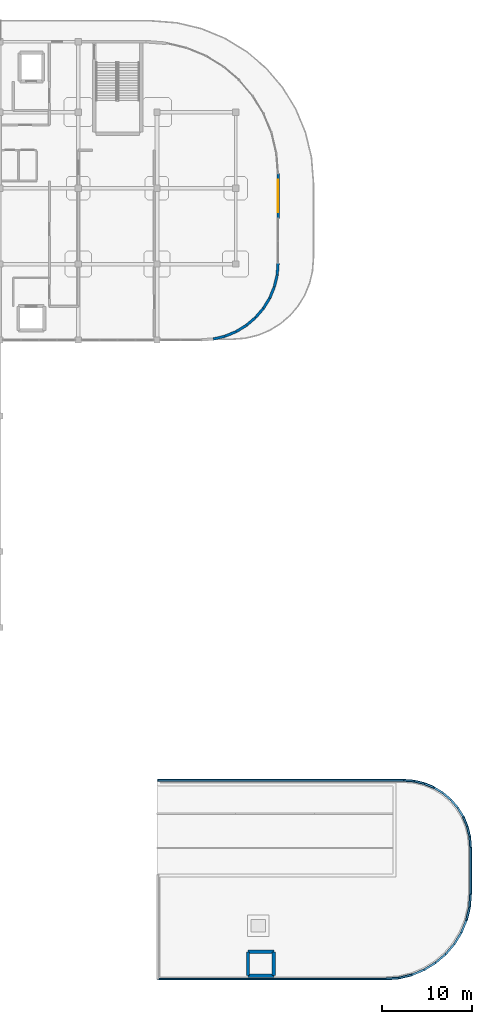
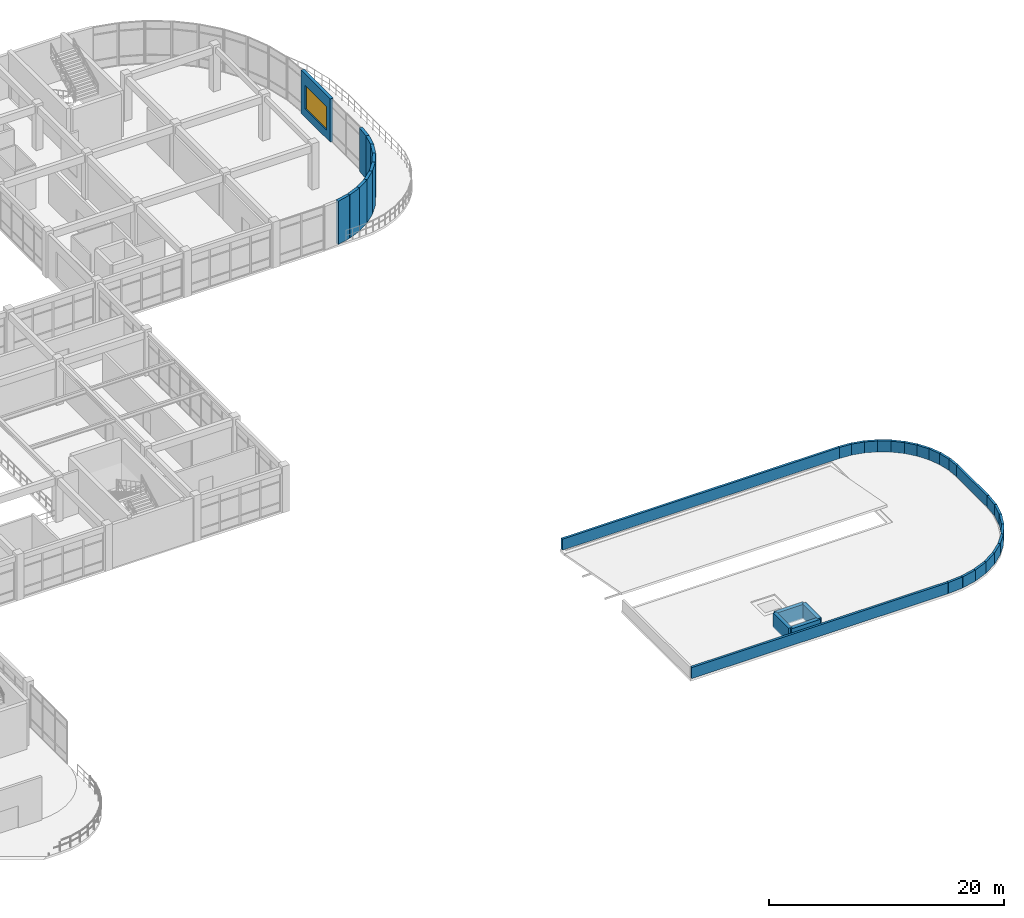
# One storey, part 65 of 76: 37 walls, 1 window, 1 opening.
"""IFC4 building model written with IfcOpenShell, lengths in metres."""

import ifcopenshell
import ifcopenshell.guid

model = None  # the IFC model being written
_history = None  # IfcOwnerHistory: only IFC2X3 demands one
_inside = {}  # id of a spatial element -> (the spatial element, [elements in it])
_under = {}  # id of a project, library or spatial element -> (it, [spatial elements below it])
_declared = {}  # id of a project -> (the project, [libraries it declares])
_typed = {}  # id of a type object -> (the type object, [elements of that type])
_made_of = {}  # id of a material, layer set ... -> (it, [elements and type objects made of it])


def new_model(schema):
    """Start an empty IFC model of exactly this schema.

    Asked for "IFC4X3", IfcOpenShell would pick the latest addendum, in which some entities
    have other attributes; the version numbers below select the first issue.
    IFC2X3 requires an IfcOwnerHistory on every rooted entity: one is made here for all.
    """
    global model, _history
    if schema == "IFC4X3":
        model = ifcopenshell.file(schema_version=(4, 3, 0, 0))
    else:
        model = ifcopenshell.file(schema=schema)
    _inside.clear()
    _under.clear()
    _declared.clear()
    _typed.clear()
    _made_of.clear()
    _history = None
    if model.schema == "IFC2X3":
        org = make("IfcOrganization", Name="unknown")
        user = make(
            "IfcPersonAndOrganization",
            ThePerson=make("IfcPerson", FamilyName="unknown"),
            TheOrganization=org,
        )
        app = make(
            "IfcApplication",
            ApplicationDeveloper=org,
            Version="unknown",
            ApplicationFullName="unknown",
            ApplicationIdentifier="unknown",
        )
        _history = make(
            "IfcOwnerHistory",
            OwningUser=user,
            OwningApplication=app,
            ChangeAction="ADDED",
            CreationDate=0,
        )
    return model


def make(cls, **values):
    """One entity of the class cls with the attributes given. An attribute that is None is left unset."""
    return model.create_entity(
        cls, **{name: value for name, value in values.items() if value is not None}
    )


def rooted(cls, **values):
    """An entity with a GlobalId (a new one), such as an element, a storey or a relation."""
    return make(cls, GlobalId=ifcopenshell.guid.new(), OwnerHistory=_history, **values)


def si_unit(unit_type, name, prefix=None):
    """IfcSIUnit, for example si_unit("LENGTHUNIT", "METRE", prefix="MILLI")."""
    return make("IfcSIUnit", UnitType=unit_type, Prefix=prefix, Name=name)


def derived_unit(unit_type, elements):
    """IfcDerivedUnit: a product of units, each with its exponent."""
    return make(
        "IfcDerivedUnit",
        Elements=[
            make("IfcDerivedUnitElement", Unit=unit, Exponent=power)
            for unit, power in elements
        ],
        UnitType=unit_type,
    )


def assignment(units):
    """IfcUnitAssignment: the units of a project."""
    return None if units is None else make("IfcUnitAssignment", Units=units)


def point(xyz):
    """IfcCartesianPoint."""
    return None if xyz is None else make("IfcCartesianPoint", Coordinates=xyz)


def direction(xyz):
    """IfcDirection."""
    return None if xyz is None else make("IfcDirection", DirectionRatios=xyz)


def frame(location, z_axis=None, x_axis=None):
    """IfcAxis2Placement3D, a coordinate frame: its origin and axes. An axis left out is left unset."""
    return make(
        "IfcAxis2Placement3D",
        Location=point(location),
        Axis=direction(z_axis),
        RefDirection=direction(x_axis),
    )


def frame_2d(location, x_axis=None):
    """IfcAxis2Placement2D, a coordinate frame in the plane: its origin and x axis."""
    return make(
        "IfcAxis2Placement2D", Location=point(location), RefDirection=direction(x_axis)
    )


def origin():
    """The frame at (0, 0, 0) with its axes left unset."""
    return frame((0.0, 0.0, 0.0))


def place(relative_to, where):
    """IfcLocalPlacement: puts the frame where relative to a parent placement (None: the world)."""
    return make(
        "IfcLocalPlacement", PlacementRelTo=relative_to, RelativePlacement=where
    )


def context(
    kind, dimensions, precision=None, world=None, true_north=None, identifier=None
):
    """IfcGeometricRepresentationContext, for example the 3D "Model" context."""
    return make(
        "IfcGeometricRepresentationContext",
        ContextIdentifier=identifier,
        ContextType=kind,
        CoordinateSpaceDimension=dimensions,
        Precision=precision,
        WorldCoordinateSystem=world,
        TrueNorth=true_north,
    )


def subcontext(parent, identifier, kind, view, scale=None):
    """IfcGeometricRepresentationSubContext, for example "Body" below "Model"."""
    return make(
        "IfcGeometricRepresentationSubContext",
        ContextIdentifier=identifier,
        ContextType=kind,
        ParentContext=parent,
        TargetScale=scale,
        TargetView=view,
    )


def project(units=None, contexts=None):
    """IfcProject with its units and contexts."""
    return rooted(
        "IfcProject",
        Name="project",
        RepresentationContexts=contexts,
        UnitsInContext=assignment(units),
    )


def spatial(cls, under=None, at=None, **own):
    """A site, building, storey or space (cls), placed at a placement, below another one or the project."""
    s = rooted(cls, ObjectPlacement=at, **own)
    if under is not None:
        _under.setdefault(under.id(), (under, []))[1].append(s)
    return s


def profile(cls, at=None, kind="AREA", **sizes):
    """A parametric profile (cls). Its sizes go by their IFC names, for example OverallWidth=200.0."""
    return make(cls, ProfileType=kind, Position=at, **sizes)


def rectangle(**sizes):
    """IfcRectangleProfileDef."""
    return profile("IfcRectangleProfileDef", **sizes)


def extrude(swept, where, along, depth):
    """IfcExtrudedAreaSolid: the profile swept, set in the frame where, extruded along a direction by depth."""
    return make(
        "IfcExtrudedAreaSolid",
        SweptArea=swept,
        Position=where,
        ExtrudedDirection=direction(along),
        Depth=depth,
    )


def shape(context_of_items, identifier, shape_type, items):
    """IfcShapeRepresentation: the items that make up one representation, for example the "Body"."""
    return make(
        "IfcShapeRepresentation",
        ContextOfItems=context_of_items,
        RepresentationIdentifier=identifier,
        RepresentationType=shape_type,
        Items=items,
    )


def material(Name=None, Category=None):
    """IfcMaterial."""
    return make("IfcMaterial", Name=Name, Category=Category)


def layer(
    of_material, thickness, ventilated=None, Name=None, Category=None, Priority=None
):
    """IfcMaterialLayer: one layer of a wall or slab, of a material (None: an air gap)."""
    return make(
        "IfcMaterialLayer",
        Material=of_material,
        LayerThickness=thickness,
        IsVentilated=ventilated,
        Name=Name,
        Category=Category,
        Priority=Priority,
    )


def layer_set(layers, Name=None):
    """IfcMaterialLayerSet."""
    return make("IfcMaterialLayerSet", MaterialLayers=layers, LayerSetName=Name)


def made_of(thing, what):
    """Note that an element or type object is made of a material, layer set ...; save() writes the relation."""
    if what is not None:
        _made_of.setdefault(what.id(), (what, []))[1].append(thing)
    return thing


def type_object(cls, material=None, **own):
    """A type object (cls), such as IfcWallType, which elements share."""
    return made_of(rooted(cls, **own), material)


def element(
    cls,
    number,
    at=None,
    inside=None,
    cuts=None,
    type_object=None,
    material=None,
    context=None,
    identifier="Body",
    shape_type=None,
    held_by="IfcProductDefinitionShape",
    body=None,
    shapes=None,
    **own,
):
    """One element of the class cls, such as IfcWall. Its Tag is "e" and its number.

    at: its placement. inside: the storey or other place that contains it. cuts: it is an
    opening in that element (IfcRelVoidsElement). A single representation is given by context,
    identifier, shape_type and body (its items); several are given by shapes. held_by: the class
    of the entity that holds the representations. save() writes the other relations.
    """
    e = rooted(cls, Tag="e%d" % number, ObjectPlacement=at, **own)
    if body is not None:
        shapes = [shape(context, identifier, shape_type, body)]
    if shapes is not None:
        e.Representation = make(held_by, Representations=shapes)
    if inside is not None:
        _inside.setdefault(inside.id(), (inside, []))[1].append(e)
    if cuts is not None:
        rooted(
            "IfcRelVoidsElement", RelatingBuildingElement=cuts, RelatedOpeningElement=e
        )
    if type_object is not None:
        _typed.setdefault(type_object.id(), (type_object, []))[1].append(e)
    return made_of(e, material)


def fill(opening, filler):
    """IfcRelFillsElement: the door or window that sits in an opening."""
    return rooted(
        "IfcRelFillsElement",
        RelatingOpeningElement=opening,
        RelatedBuildingElement=filler,
    )


def aggregate(whole, parts):
    """IfcRelAggregates: a whole, such as a stair, and the parts it consists of."""
    return rooted("IfcRelAggregates", RelatingObject=whole, RelatedObjects=parts)


def save(model, path):
    """Write the relations noted so far, then the file.

    IfcRelAggregates (storeys below a building ...), IfcRelContainedInSpatialStructure (elements
    in a storey), IfcRelDefinesByType, IfcRelAssociatesMaterial and IfcRelDeclares: one each for
    every whole, place, type object, material and project.
    """
    for whole, parts in _under.values():
        aggregate(whole, parts)
    for where, things in _inside.values():
        rooted(
            "IfcRelContainedInSpatialStructure",
            RelatedElements=things,
            RelatingStructure=where,
        )
    for kind, things in _typed.values():
        rooted("IfcRelDefinesByType", RelatedObjects=things, RelatingType=kind)
    for what, things in _made_of.values():
        rooted("IfcRelAssociatesMaterial", RelatedObjects=things, RelatingMaterial=what)
    for by, libraries in _declared.values():
        rooted("IfcRelDeclares", RelatingContext=by, RelatedDefinitions=libraries)
    model.write(path)


model = new_model("IFC4")

# Units and contexts
model_context = context("Model", 3, precision=1e-05, world=origin(), true_north=direction((0.0, 1.0)))
body_context = subcontext(model_context, "Body", "Model", "MODEL_VIEW")
ifc_project = project(units=[si_unit("LENGTHUNIT", "METRE"), si_unit("AREAUNIT", "SQUARE_METRE"), si_unit("VOLUMEUNIT", "CUBIC_METRE"), si_unit("PLANEANGLEUNIT", "RADIAN"), si_unit("MASSUNIT", "GRAM", prefix="KILO"), derived_unit("THERMALTRANSMITTANCEUNIT", [(si_unit("MASSUNIT", "GRAM", prefix="KILO"), 1), (si_unit("TIMEUNIT", "SECOND"), -3), (si_unit("THERMODYNAMICTEMPERATUREUNIT", "KELVIN"), -1)])], contexts=[model_context])

# Site, building, storey
site_placement = place(None, origin())
site = spatial("IfcSite", under=ifc_project, at=site_placement, CompositionType="ELEMENT")
building_placement = place(site_placement, origin())
building = spatial("IfcBuilding", under=site, at=building_placement, Name="Qinzheling Arcade Emporium", CompositionType="ELEMENT")
storey_placement = place(building_placement, frame((0.0, 0.0, 26.699951171875)))
storey = spatial("IfcBuildingStorey", under=building, at=storey_placement, Name="L06", CompositionType="ELEMENT", Elevation=26.699951171875)

# Walls
ifc_material_1 = material(Name="Concrete C40", Category="concrete")
ifc_layer_1 = layer(ifc_material_1, 0.35498046875, Name="Concrete C40", Category="concrete")
ifc_layer_set_1 = layer_set([ifc_layer_1], Name="Concrete C40")
wall_type_1 = type_object("IfcWallType", Name="Exterior Lift Overrun Shear Wall 355 C40", PredefinedType="SHEAR", material=ifc_layer_set_1)
for number, where, z_axis, x_axis, name in (
    (1, (131.875, 6.125, 0.0), (0.0, 0.0, 1.0), (1.0, 0.0, 0.0), "Lift Overrun Wall WL-L06-OVR-LP05-N"),
    (2, (134.72509765625, 3.47509765625, 0.0), (0.0, 0.0, 1.0), (-1.0, 0.0, 0.0), "Lift Overrun Wall WL-L06-OVR-LP05-S"),
):
    element("IfcWall", number, at=place(storey_placement, frame(where, z_axis=z_axis, x_axis=x_axis)), inside=storey, type_object=wall_type_1, Name=name, PredefinedType="SHEAR", context=body_context, shape_type="SweptSolid", body=[
        extrude(rectangle(XDim=2.85009765625, YDim=0.35498046875, at=frame_2d((1.425048828125, 0.0))), origin(), (0.0, 0.0, 1.0), 1.5),
    ])
for number, where, z_axis, x_axis, name in (
    (3, (131.875, 3.47509765625, 0.0), (0.0, 0.0, 1.0), (0.0, 1.0, 0.0), "Lift Overrun Wall WL-L06-OVR-LP05-W"),
    (4, (134.72509765625, 6.125, 0.0), (0.0, 0.0, 1.0), (0.0, -1.0, 0.0), "Lift Overrun Wall WL-L06-OVR-LP05-E"),
):
    element("IfcWall", number, at=place(storey_placement, frame(where, z_axis=z_axis, x_axis=x_axis)), inside=storey, type_object=wall_type_1, Name=name, PredefinedType="SHEAR", context=body_context, shape_type="SweptSolid", body=[
        extrude(rectangle(XDim=2.64990234375, YDim=0.35498046875, at=frame_2d((1.324951171875, 0.0))), origin(), (0.0, 0.0, 1.0), 1.5),
    ])

# Wall, opening, window
ifc_material_2 = material(Name="Buff glazed terracotta insulated wall", Category="masonry")
ifc_layer_2 = layer(ifc_material_2, 0.2900390625, Name="Buff glazed terracotta insulated wall", Category="masonry")
ifc_layer_set_2 = layer_set([ifc_layer_2], Name="Buff glazed terracotta insulated wall")
wall_type_2 = type_object("IfcWallType", Name="Office Bar Terracotta Wall 290", PredefinedType="STANDARD", material=ifc_layer_set_2)
wall_1_placement = place(storey_placement, frame((135.199951171875, 92.199951171875, 0.0), z_axis=(0.0, 0.0, 1.0), x_axis=(0.0, -1.0, 0.0)))
wall_1 = element("IfcWall", 5, at=wall_1_placement, inside=storey, type_object=wall_type_2, Name="Exterior Wall WL-L06-EW-0318", PredefinedType="STANDARD", context=body_context, shape_type="SweptSolid", body=[
    extrude(rectangle(XDim=4.947998046875, YDim=0.2900390625, at=frame_2d((2.47412109375, 0.0))), origin(), (0.0, 0.0, 1.0), 4.489990234375),
])
opening_placement = place(wall_1_placement, frame((0.674072265625, 0.0, 0.85009765625)))
opening = element("IfcOpeningElement", 6, at=opening_placement, cuts=wall_1, Name="Opening WN25", PredefinedType="OPENING", context=body_context, shape_type="SweptSolid", body=[
    extrude(rectangle(XDim=3.60009765625, YDim=2.449951171875, at=frame_2d((1.800048828125, 1.22509765625))), frame((0.0, 0.155029296875, 0.0), z_axis=(0.0, -1.0, 0.0), x_axis=(1.0, 0.0, 0.0)), (0.0, 0.0, 1.0), 0.31005859375),
])
ifc_material_3 = material(Name="Thermally broken aluminium frame with solar-control double glazing", Category="aluminium")
window_type = type_object("IfcWindowType", Name="Chicago Tripartite Window 3600x2450", PartitioningType="TRIPLE_PANEL_VERTICAL", PredefinedType="WINDOW", material=ifc_material_3)
window_placement = place(opening_placement, origin())
window = element("IfcWindow", 7, at=window_placement, inside=storey, type_object=window_type, Name="WN25 Window WN-L06-0080", OverallHeight=2.449951171875, OverallWidth=3.60009765625, PartitioningType="TRIPLE_PANEL_VERTICAL", PredefinedType="WINDOW", context=body_context, shape_type="SweptSolid", body=[
    extrude(rectangle(XDim=3.60009765625, YDim=2.449951171875, at=frame_2d((1.800048828125, 1.22509765625))), frame((0.0, 0.030029296875, 0.0), z_axis=(0.0, -1.0, 0.0), x_axis=(1.0, 0.0, 0.0)), (0.0, 0.0, 1.0), 0.06005859375),
])
fill(opening, window)

# Walls
wall_2_placement = place(storey_placement, frame((135.199951171875, 82.300048828125, 0.0), z_axis=(0.0, 0.0, 1.0), x_axis=(-0.078683343185, -0.996899659698, 0.0)))
element("IfcWall", 8, at=wall_2_placement, inside=storey, type_object=wall_type_2, Name="Exterior Wall WL-L06-EW-0319", PredefinedType="STANDARD", context=body_context, shape_type="SweptSolid", body=[
    extrude(rectangle(XDim=1.334228515625, YDim=0.2900390625, at=frame_2d((0.6669921875, 0.0))), origin(), (0.0, 0.0, 1.0), 4.489990234375),
])
wall_3_placement = place(storey_placement, frame((135.094970703125, 80.969970703125, 0.0), z_axis=(0.0, 0.0, 1.0), x_axis=(-0.233220628969, -0.972423847005, 0.0)))
element("IfcWall", 9, at=wall_3_placement, inside=storey, type_object=wall_type_2, Name="Exterior Wall WL-L06-EW-0320", PredefinedType="STANDARD", context=body_context, shape_type="SweptSolid", body=[
    extrude(rectangle(XDim=1.333740234375, YDim=0.2900390625, at=frame_2d((0.6669921875, 0.0))), origin(), (0.0, 0.0, 1.0), 4.489990234375),
])
for number, where, z_axis, x_axis, name in (
    (10, (134.783935546875, 79.673095703125, 0.0), (0.0, 0.0, 1.0), (-0.382443421217, -0.923978911863, 0.0), "Exterior Wall WL-L06-EW-0321"),
    (11, (134.27392578125, 78.44091796875, 0.0), (0.0, 0.0, 1.0), (-0.522656496285, -0.852543363643, 0.0), "Exterior Wall WL-L06-EW-0322"),
):
    element("IfcWall", number, at=place(storey_placement, frame(where, z_axis=z_axis, x_axis=x_axis)), inside=storey, type_object=wall_type_2, Name=name, PredefinedType="STANDARD", context=body_context, shape_type="SweptSolid", body=[
        extrude(rectangle(XDim=1.33349609375, YDim=0.2900390625, at=frame_2d((0.666748046875, 0.0))), origin(), (0.0, 0.0, 1.0), 4.489990234375),
    ])
for number, where, z_axis, x_axis, name in (
    (12, (133.576904296875, 77.303955078125, 0.0), (0.0, 0.0, 1.0), (-0.649871535961, -0.760044068951, 0.0), "Exterior Wall WL-L06-EW-0323"),
    (13, (132.7099609375, 76.2900390625, 0.0), (0.0, 0.0, 1.0), (-0.760044068951, -0.649871535961, 0.0), "Exterior Wall WL-L06-EW-0324"),
):
    element("IfcWall", number, at=place(storey_placement, frame(where, z_axis=z_axis, x_axis=x_axis)), inside=storey, type_object=wall_type_2, Name=name, PredefinedType="STANDARD", context=body_context, shape_type="SweptSolid", body=[
        extrude(rectangle(XDim=1.333984375, YDim=0.2900390625, at=frame_2d((0.6669921875, 0.0))), origin(), (0.0, 0.0, 1.0), 4.489990234375),
    ])
for number, where, z_axis, x_axis, name in (
    (14, (131.696044921875, 75.423095703125, 0.0), (0.0, 0.0, 1.0), (-0.852543363643, -0.522656496285, 0.0), "Exterior Wall WL-L06-EW-0325"),
    (15, (130.55908203125, 74.72607421875, 0.0), (0.0, 0.0, 1.0), (-0.923978911863, -0.382443421217, 0.0), "Exterior Wall WL-L06-EW-0326"),
):
    element("IfcWall", number, at=place(storey_placement, frame(where, z_axis=z_axis, x_axis=x_axis)), inside=storey, type_object=wall_type_2, Name=name, PredefinedType="STANDARD", context=body_context, shape_type="SweptSolid", body=[
        extrude(rectangle(XDim=1.33349609375, YDim=0.2900390625, at=frame_2d((0.666748046875, 0.0))), origin(), (0.0, 0.0, 1.0), 4.489990234375),
    ])
wall_4_placement = place(storey_placement, frame((129.326904296875, 74.216064453125, 0.0), z_axis=(0.0, 0.0, 1.0), x_axis=(-0.972423847005, -0.233220628969, 0.0)))
element("IfcWall", 16, at=wall_4_placement, inside=storey, type_object=wall_type_2, Name="Exterior Wall WL-L06-EW-0327", PredefinedType="STANDARD", context=body_context, shape_type="SweptSolid", body=[
    extrude(rectangle(XDim=1.333740234375, YDim=0.2900390625, at=frame_2d((0.6669921875, 0.0))), origin(), (0.0, 0.0, 1.0), 4.489990234375),
])
ifc_material_4 = material(Name="Precast concrete C40 with terracotta coping", Category="masonry")
ifc_layer_3 = layer(ifc_material_4, 0.219970703125, Name="Precast concrete C40 with terracotta coping", Category="masonry")
ifc_layer_set_3 = layer_set([ifc_layer_3], Name="Precast concrete C40 with terracotta coping")
wall_type_3 = type_object("IfcWallType", Name="Terracotta Coping Roof Parapet 220", PredefinedType="PARAPET", material=ifc_layer_set_3)
wall_5_placement = place(storey_placement, frame((121.909912109375, 25.090087890625, 0.0), z_axis=(0.0, 0.0, 1.0), x_axis=(1.0, 0.0, 0.0)))
element("IfcWall", 17, at=wall_5_placement, inside=storey, type_object=wall_type_3, Name="Roof Parapet WL-L06-PW-035", PredefinedType="PARAPET", context=body_context, shape_type="SweptSolid", body=[
    extrude(rectangle(XDim=27.18603515625, YDim=0.219970703125, at=frame_2d((13.593017578125, 0.0))), origin(), (0.0, 0.0, 1.0), 1.150146484375),
])
wall_6_placement = place(storey_placement, frame((149.095947265625, 25.090087890625, 0.0), z_axis=(0.0, 0.0, 1.0), x_axis=(0.996933566012, -0.078252571575, 0.0)))
element("IfcWall", 18, at=wall_6_placement, inside=storey, type_object=wall_type_3, Name="Roof Parapet WL-L06-PW-036", PredefinedType="PARAPET", context=body_context, shape_type="SweptSolid", body=[
    extrude(rectangle(XDim=1.163818359375, YDim=0.219970703125, at=frame_2d((0.58203125, 0.0))), origin(), (0.0, 0.0, 1.0), 1.150146484375),
])
wall_7_placement = place(storey_placement, frame((150.256103515625, 24.9990234375, 0.0), z_axis=(0.0, 0.0, 1.0), x_axis=(0.972329961031, -0.233611743884, 0.0)))
element("IfcWall", 19, at=wall_7_placement, inside=storey, type_object=wall_type_3, Name="Roof Parapet WL-L06-PW-037", PredefinedType="PARAPET", context=body_context, shape_type="SweptSolid", body=[
    extrude(rectangle(XDim=1.159912109375, YDim=0.219970703125, at=frame_2d((0.580078125, 0.0))), origin(), (0.0, 0.0, 1.0), 1.150146484375),
])
wall_8_placement = place(storey_placement, frame((151.384033203125, 24.72802734375, 0.0), z_axis=(0.0, 0.0, 1.0), x_axis=(0.924039925346, -0.382295980055, 0.0)))
element("IfcWall", 20, at=wall_8_placement, inside=storey, type_object=wall_type_3, Name="Roof Parapet WL-L06-PW-038", PredefinedType="PARAPET", context=body_context, shape_type="SweptSolid", body=[
    extrude(rectangle(XDim=1.1591796875, YDim=0.219970703125, at=frame_2d((0.57958984375, 0.0))), origin(), (0.0, 0.0, 1.0), 1.150146484375),
])
wall_9_placement = place(storey_placement, frame((152.455078125, 24.284912109375, 0.0), z_axis=(0.0, 0.0, 1.0), x_axis=(0.85245287904, -0.522804063696, 0.0)))
element("IfcWall", 21, at=wall_9_placement, inside=storey, type_object=wall_type_3, Name="Roof Parapet WL-L06-PW-039", PredefinedType="PARAPET", context=body_context, shape_type="SweptSolid", body=[
    extrude(rectangle(XDim=1.158935546875, YDim=0.219970703125, at=frame_2d((0.57958984375, 0.0))), origin(), (0.0, 0.0, 1.0), 1.150146484375),
])
wall_10_placement = place(storey_placement, frame((153.443115234375, 23.678955078125, 0.0), z_axis=(0.0, 0.0, 1.0), x_axis=(0.760087815593, -0.649820369477, 0.0)))
element("IfcWall", 22, at=wall_10_placement, inside=storey, type_object=wall_type_3, Name="Roof Parapet WL-L06-PW-040", PredefinedType="PARAPET", context=body_context, shape_type="SweptSolid", body=[
    extrude(rectangle(XDim=1.16015625, YDim=0.219970703125, at=frame_2d((0.580078125, 0.0))), origin(), (0.0, 0.0, 1.0), 1.150146484375),
])
wall_11_placement = place(storey_placement, frame((154.324951171875, 22.925048828125, 0.0), z_axis=(0.0, 0.0, 1.0), x_axis=(0.649838001168, -0.760072741412, 0.0)))
element("IfcWall", 23, at=wall_11_placement, inside=storey, type_object=wall_type_3, Name="Roof Parapet WL-L06-PW-041", PredefinedType="PARAPET", context=body_context, shape_type="SweptSolid", body=[
    extrude(rectangle(XDim=1.160400390625, YDim=0.219970703125, at=frame_2d((0.580078125, 0.0))), origin(), (0.0, 0.0, 1.0), 1.150146484375),
])
for number, where, z_axis, x_axis, name in (
    (24, (155.0791015625, 22.04296875, 0.0), (0.0, 0.0, 1.0), (0.522804063696, -0.85245287904, 0.0), "Roof Parapet WL-L06-PW-042"),
    (25, (155.68505859375, 21.054931640625, 0.0), (0.0, 0.0, 1.0), (0.382116110763, -0.924114320793, 0.0), "Roof Parapet WL-L06-PW-043"),
):
    element("IfcWall", number, at=place(storey_placement, frame(where, z_axis=z_axis, x_axis=x_axis)), inside=storey, type_object=wall_type_3, Name=name, PredefinedType="PARAPET", context=body_context, shape_type="SweptSolid", body=[
        extrude(rectangle(XDim=1.158935546875, YDim=0.219970703125, at=frame_2d((0.57958984375, 0.0))), origin(), (0.0, 0.0, 1.0), 1.150146484375),
    ])
wall_12_placement = place(storey_placement, frame((156.1279296875, 19.98388671875, 0.0), z_axis=(0.0, 0.0, 1.0), x_axis=(0.233611743884, -0.972329961031, 0.0)))
element("IfcWall", 26, at=wall_12_placement, inside=storey, type_object=wall_type_3, Name="Roof Parapet WL-L06-PW-044", PredefinedType="PARAPET", context=body_context, shape_type="SweptSolid", body=[
    extrude(rectangle(XDim=1.159912109375, YDim=0.219970703125, at=frame_2d((0.580078125, 0.0))), origin(), (0.0, 0.0, 1.0), 1.150146484375),
])
wall_13_placement = place(storey_placement, frame((156.39892578125, 18.85595703125, 0.0), z_axis=(0.0, 0.0, 1.0), x_axis=(0.078268941443, -0.996932280953, 0.0)))
element("IfcWall", 27, at=wall_13_placement, inside=storey, type_object=wall_type_3, Name="Roof Parapet WL-L06-PW-045", PredefinedType="PARAPET", context=body_context, shape_type="SweptSolid", body=[
    extrude(rectangle(XDim=1.16357421875, YDim=0.219970703125, at=frame_2d((0.581787109375, 0.0))), origin(), (0.0, 0.0, 1.0), 1.150146484375),
])
wall_14_placement = place(storey_placement, frame((156.489990234375, 17.696044921875, 0.0), z_axis=(0.0, 0.0, 1.0), x_axis=(0.0, -1.0, 0.0)))
element("IfcWall", 28, at=wall_14_placement, inside=storey, type_object=wall_type_3, Name="Roof Parapet WL-L06-PW-046", PredefinedType="PARAPET", context=body_context, shape_type="SweptSolid", body=[
    extrude(rectangle(XDim=5.192138671875, YDim=0.219970703125, at=frame_2d((2.59619140625, 0.0))), origin(), (0.0, 0.0, 1.0), 1.150146484375),
])
wall_15_placement = place(storey_placement, frame((156.489990234375, 12.50390625, 0.0), z_axis=(0.0, 0.0, 1.0), x_axis=(-0.078490726145, -0.99691484386, 0.0)))
element("IfcWall", 29, at=wall_15_placement, inside=storey, type_object=wall_type_3, Name="Roof Parapet WL-L06-PW-047", PredefinedType="PARAPET", context=body_context, shape_type="SweptSolid", body=[
    extrude(rectangle(XDim=1.4775390625, YDim=0.219970703125, at=frame_2d((0.73876953125, 0.0))), origin(), (0.0, 0.0, 1.0), 1.150146484375),
])
wall_16_placement = place(storey_placement, frame((156.3740234375, 11.031005859375, 0.0), z_axis=(0.0, 0.0, 1.0), x_axis=(-0.233404278457, -0.972379783211, 0.0)))
element("IfcWall", 30, at=wall_16_placement, inside=storey, type_object=wall_type_3, Name="Roof Parapet WL-L06-PW-048", PredefinedType="PARAPET", context=body_context, shape_type="SweptSolid", body=[
    extrude(rectangle(XDim=1.473876953125, YDim=0.219970703125, at=frame_2d((0.73681640625, 0.0))), origin(), (0.0, 0.0, 1.0), 1.150146484375),
])
wall_17_placement = place(storey_placement, frame((156.030029296875, 9.597900390625, 0.0), z_axis=(0.0, 0.0, 1.0), x_axis=(-0.382283460959, -0.924045104677, 0.0)))
element("IfcWall", 31, at=wall_17_placement, inside=storey, type_object=wall_type_3, Name="Roof Parapet WL-L06-PW-049", PredefinedType="PARAPET", context=body_context, shape_type="SweptSolid", body=[
    extrude(rectangle(XDim=1.47265625, YDim=0.219970703125, at=frame_2d((0.736328125, 0.0))), origin(), (0.0, 0.0, 1.0), 1.150146484375),
])
wall_18_placement = place(storey_placement, frame((155.467041015625, 8.237060546875, 0.0), z_axis=(0.0, 0.0, 1.0), x_axis=(-0.522635884016, -0.852555999767, 0.0)))
element("IfcWall", 32, at=wall_18_placement, inside=storey, type_object=wall_type_3, Name="Roof Parapet WL-L06-PW-050", PredefinedType="PARAPET", context=body_context, shape_type="SweptSolid", body=[
    extrude(rectangle(XDim=1.473388671875, YDim=0.219970703125, at=frame_2d((0.73681640625, 0.0))), origin(), (0.0, 0.0, 1.0), 1.150146484375),
])
wall_19_placement = place(storey_placement, frame((154.697021484375, 6.98095703125, 0.0), z_axis=(0.0, 0.0, 1.0), x_axis=(-0.649344174642, -0.760494669842, 0.0)))
element("IfcWall", 33, at=wall_19_placement, inside=storey, type_object=wall_type_3, Name="Roof Parapet WL-L06-PW-051", PredefinedType="PARAPET", context=body_context, shape_type="SweptSolid", body=[
    extrude(rectangle(XDim=1.473876953125, YDim=0.219970703125, at=frame_2d((0.73681640625, 0.0))), origin(), (0.0, 0.0, 1.0), 1.150146484375),
])
wall_20_placement = place(storey_placement, frame((153.739990234375, 5.860107421875, 0.0), z_axis=(0.0, 0.0, 1.0), x_axis=(-0.760564502202, -0.649262379928, 0.0)))
element("IfcWall", 34, at=wall_20_placement, inside=storey, type_object=wall_type_3, Name="Roof Parapet WL-L06-PW-052", PredefinedType="PARAPET", context=body_context, shape_type="SweptSolid", body=[
    extrude(rectangle(XDim=1.47412109375, YDim=0.219970703125, at=frame_2d((0.737060546875, 0.0))), origin(), (0.0, 0.0, 1.0), 1.150146484375),
])
wall_21_placement = place(storey_placement, frame((152.618896484375, 4.903076171875, 0.0), z_axis=(0.0, 0.0, 1.0), x_axis=(-0.85251072794, -0.522709727045, 0.0)))
element("IfcWall", 35, at=wall_21_placement, inside=storey, type_object=wall_type_3, Name="Roof Parapet WL-L06-PW-053", PredefinedType="PARAPET", context=body_context, shape_type="SweptSolid", body=[
    extrude(rectangle(XDim=1.47314453125, YDim=0.219970703125, at=frame_2d((0.736572265625, 0.0))), origin(), (0.0, 0.0, 1.0), 1.150146484375),
])
wall_22_placement = place(storey_placement, frame((151.363037109375, 4.133056640625, 0.0), z_axis=(0.0, 0.0, 1.0), x_axis=(-0.924069325976, -0.382224908646, 0.0)))
element("IfcWall", 36, at=wall_22_placement, inside=storey, type_object=wall_type_3, Name="Roof Parapet WL-L06-PW-054", PredefinedType="PARAPET", context=body_context, shape_type="SweptSolid", body=[
    extrude(rectangle(XDim=1.472900390625, YDim=0.219970703125, at=frame_2d((0.736328125, 0.0))), origin(), (0.0, 0.0, 1.0), 1.150146484375),
])
wall_23_placement = place(storey_placement, frame((150.001953125, 3.570068359375, 0.0), z_axis=(0.0, 0.0, 1.0), x_axis=(-0.97237075669, -0.233441880419, 0.0)))
element("IfcWall", 37, at=wall_23_placement, inside=storey, type_object=wall_type_3, Name="Roof Parapet WL-L06-PW-055", PredefinedType="PARAPET", context=body_context, shape_type="SweptSolid", body=[
    extrude(rectangle(XDim=1.4736328125, YDim=0.219970703125, at=frame_2d((0.73681640625, 0.0))), origin(), (0.0, 0.0, 1.0), 1.150146484375),
])
wall_24_placement = place(storey_placement, frame((148.569091796875, 3.22607421875, 0.0), z_axis=(0.0, 0.0, 1.0), x_axis=(-0.996915861641, -0.07847779819, 0.0)))
element("IfcWall", 38, at=wall_24_placement, inside=storey, type_object=wall_type_3, Name="Roof Parapet WL-L06-PW-056", PredefinedType="PARAPET", context=body_context, shape_type="SweptSolid", body=[
    extrude(rectangle(XDim=1.477783203125, YDim=0.219970703125, at=frame_2d((0.73876953125, 0.0))), origin(), (0.0, 0.0, 1.0), 1.150146484375),
])
wall_25_placement = place(storey_placement, frame((147.095947265625, 3.110107421875, 0.0), z_axis=(0.0, 0.0, 1.0), x_axis=(-1.0, 0.0, 0.0)))
element("IfcWall", 39, at=wall_25_placement, inside=storey, type_object=wall_type_3, Name="Roof Parapet WL-L06-PW-057", PredefinedType="PARAPET", context=body_context, shape_type="SweptSolid", body=[
    extrude(rectangle(XDim=25.18603515625, YDim=0.219970703125, at=frame_2d((12.593017578125, 0.0))), origin(), (0.0, 0.0, 1.0), 1.150146484375),
])

save(model, "model.ifc")
